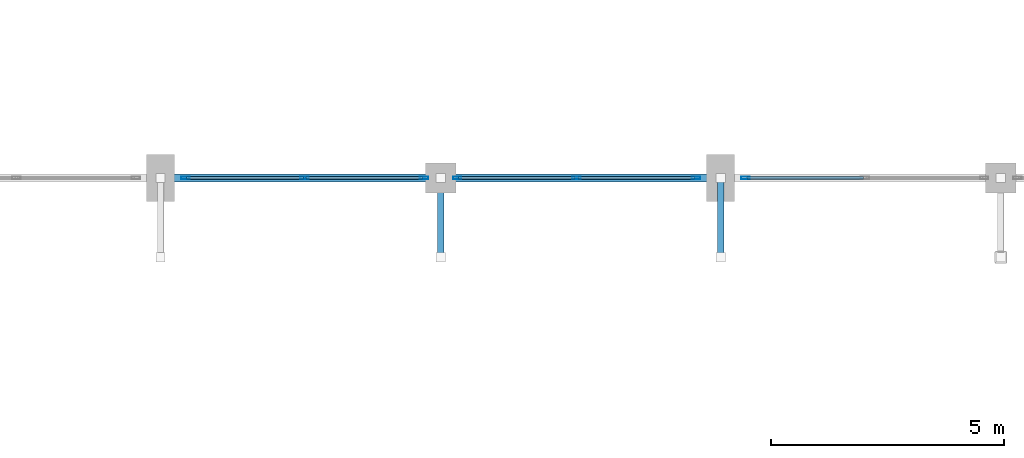
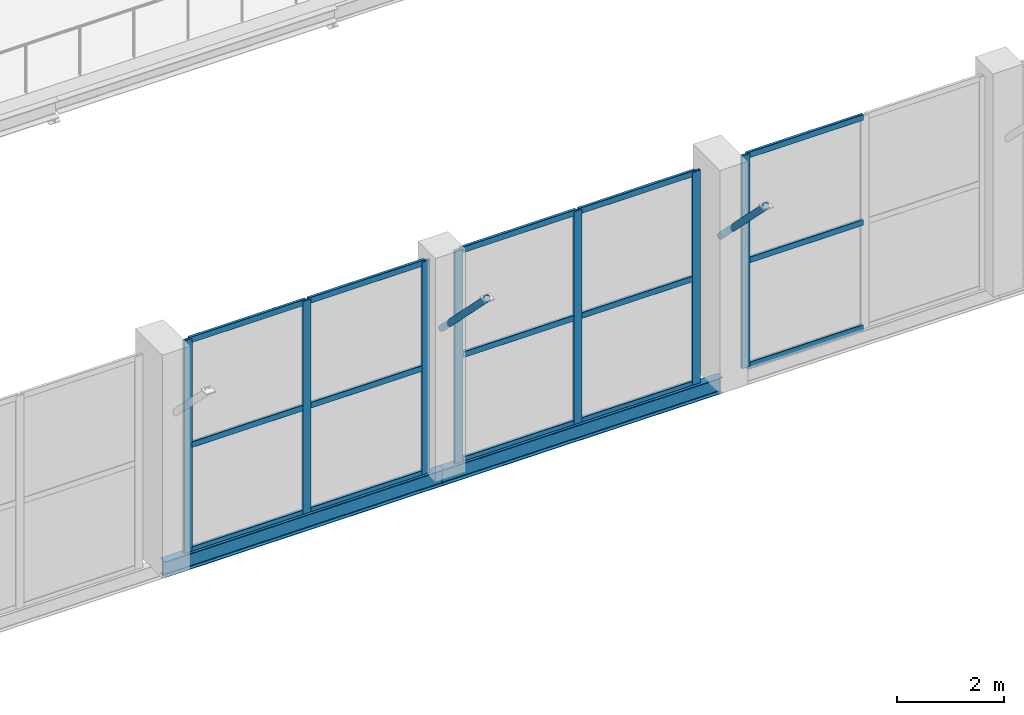
# One storey, part 22 of 127: 24 members, 2 beams, 3 elements without a shape of their own.
"""IFC4 building model written with IfcOpenShell, lengths in metres."""

from ifc_helpers import new_model, si_unit, direction, frame, origin, origin_2d, place, context, subcontext, project, spatial, hollow_rectangle, hollow_circle, i_section, extrude, material, layer, layer_set, material_profile, profile_set, type_object, element, aggregate, save


model = new_model("IFC4")

# Units and contexts
model_context = context("Model", 3, precision=1e-05, world=origin(), true_north=direction((0.0, 1.0)))
body_context = subcontext(model_context, "Body", "Model", "MODEL_VIEW")
ifc_project = project(units=[si_unit("LENGTHUNIT", "METRE"), si_unit("AREAUNIT", "SQUARE_METRE"), si_unit("VOLUMEUNIT", "CUBIC_METRE"), si_unit("PLANEANGLEUNIT", "RADIAN"), si_unit("MASSUNIT", "GRAM", prefix="KILO")], contexts=[model_context])

# Site, building, storey
site_placement = place(None, origin())
site = spatial("IfcSite", under=ifc_project, at=site_placement, CompositionType="ELEMENT")
building_placement = place(site_placement, origin())
building = spatial("IfcBuilding", under=site, at=building_placement, Name="Dunvalen Ferry Terminal", CompositionType="ELEMENT")
storey_placement = place(building_placement, frame((0.0, 0.0, 5.760009765625)))
storey = spatial("IfcBuildingStorey", under=building, at=storey_placement, Name="L01", CompositionType="ELEMENT", Elevation=5.760009765625)

# Curtain wall, members
ifc_material_1 = material(Name="Anodised marine aluminium and solar-control glazing", Category="aluminium")
ifc_layer = layer(ifc_material_1, 0.219970703125, Name="Anodised marine aluminium and solar-control glazing")
ifc_layer_set = layer_set([ifc_layer], Name="Anodised marine aluminium and solar-control glazing")
curtain_wall_type = type_object("IfcCurtainWallType", Name="ENV-CW-SYS-02", PredefinedType="NOTDEFINED", material=ifc_layer_set)
curtain_wall_1_placement = place(storey_placement, origin())
curtain_wall_1 = element("IfcCurtainWall", 1, at=curtain_wall_1_placement, inside=storey, type_object=curtain_wall_type, Name="L01 Curtain Wall CW-V1S-L01-03", PredefinedType="NOTDEFINED")
ifc_material_2 = material(Name="Anodised marine aluminium EN AW-6063 T6", Category="aluminium")
ifc_material_profile_1 = material_profile(ifc_material_2, hollow_rectangle(XDim=0.06005859375, YDim=0.179931640625, WallThickness=0.00341796875, InnerFilletRadius=0.00341796875, OuterFilletRadius=0.007080078125, at=origin_2d()), Name="Anodised marine aluminium EN AW-6063 T6")
ifc_profile_set_1 = profile_set([ifc_material_profile_1], Name="Anodised marine aluminium EN AW-6063 T6")
member_type_1 = type_object("IfcMemberType", Name="ENV-CW-MUL-2", PredefinedType="MULLION", material=ifc_profile_set_1)
member_1_placement = place(storey_placement, frame((48.530029296875, 50.39990234375, 0.02001953125), z_axis=(0.0, 0.0, 1.0), x_axis=(0.0, 1.0, 0.0)))
member_1 = element("IfcMember", 2, at=member_1_placement, type_object=member_type_1, Name="CW-02 mullion 1", PredefinedType="MULLION", context=body_context, shape_type="SweptSolid", body=[
    extrude(hollow_rectangle(XDim=0.06005859375, YDim=0.179931640625, WallThickness=0.00341796875, InnerFilletRadius=0.00341796875, OuterFilletRadius=0.007080078125, at=origin_2d()), origin(), (0.0, 0.0, 1.0), 4.840087890625),
])
member_2_placement = place(storey_placement, frame((51.08740234375, 50.39990234375, 0.02001953125), z_axis=(0.0, 0.0, 1.0), x_axis=(0.0, 1.0, 0.0)))
member_2 = element("IfcMember", 3, at=member_2_placement, type_object=member_type_1, Name="CW-02 mullion 2", PredefinedType="MULLION", context=body_context, shape_type="SweptSolid", body=[
    extrude(hollow_rectangle(XDim=0.06005859375, YDim=0.179931640625, WallThickness=0.00341796875, InnerFilletRadius=0.00341796875, OuterFilletRadius=0.007080078125, at=origin_2d()), origin(), (0.0, 0.0, 1.0), 4.840087890625),
])
member_3_placement = place(storey_placement, frame((53.64501953125, 50.39990234375, 0.02001953125), z_axis=(0.0, 0.0, 1.0), x_axis=(0.0, 1.0, 0.0)))
member_3 = element("IfcMember", 4, at=member_3_placement, type_object=member_type_1, Name="CW-02 mullion 3", PredefinedType="MULLION", context=body_context, shape_type="SweptSolid", body=[
    extrude(hollow_rectangle(XDim=0.06005859375, YDim=0.179931640625, WallThickness=0.00341796875, InnerFilletRadius=0.00341796875, OuterFilletRadius=0.007080078125, at=origin_2d()), origin(), (0.0, 0.0, 1.0), 4.840087890625),
])

curtain_wall_2_placement = place(storey_placement, origin())
curtain_wall_2 = element("IfcCurtainWall", 5, at=curtain_wall_2_placement, inside=storey, type_object=curtain_wall_type, Name="L01 Curtain Wall CW-V1S-L01-04", PredefinedType="NOTDEFINED")
member_4_placement = place(storey_placement, frame((54.35498046875, 50.39990234375, 0.02001953125), z_axis=(0.0, 0.0, 1.0), x_axis=(0.0, 1.0, 0.0)))
member_4 = element("IfcMember", 6, at=member_4_placement, type_object=member_type_1, Name="CW-02 mullion 1", PredefinedType="MULLION", context=body_context, shape_type="SweptSolid", body=[
    extrude(hollow_rectangle(XDim=0.06005859375, YDim=0.179931640625, WallThickness=0.00341796875, InnerFilletRadius=0.00341796875, OuterFilletRadius=0.007080078125, at=origin_2d()), origin(), (0.0, 0.0, 1.0), 4.840087890625),
])
member_5_placement = place(storey_placement, frame((56.91259765625, 50.39990234375, 0.02001953125), z_axis=(0.0, 0.0, 1.0), x_axis=(0.0, 1.0, 0.0)))
member_5 = element("IfcMember", 7, at=member_5_placement, type_object=member_type_1, Name="CW-02 mullion 2", PredefinedType="MULLION", context=body_context, shape_type="SweptSolid", body=[
    extrude(hollow_rectangle(XDim=0.06005859375, YDim=0.179931640625, WallThickness=0.00341796875, InnerFilletRadius=0.00341796875, OuterFilletRadius=0.007080078125, at=origin_2d()), origin(), (0.0, 0.0, 1.0), 4.840087890625),
])
member_6_placement = place(storey_placement, frame((59.469970703125, 50.39990234375, 0.02001953125), z_axis=(0.0, 0.0, 1.0), x_axis=(0.0, 1.0, 0.0)))
member_6 = element("IfcMember", 8, at=member_6_placement, type_object=member_type_1, Name="CW-02 mullion 3", PredefinedType="MULLION", context=body_context, shape_type="SweptSolid", body=[
    extrude(hollow_rectangle(XDim=0.06005859375, YDim=0.179931640625, WallThickness=0.00341796875, InnerFilletRadius=0.00341796875, OuterFilletRadius=0.007080078125, at=origin_2d()), origin(), (0.0, 0.0, 1.0), 4.840087890625),
])

# Curtain wall, member
curtain_wall_3_placement = place(storey_placement, origin())
curtain_wall_3 = element("IfcCurtainWall", 9, at=curtain_wall_3_placement, inside=storey, type_object=curtain_wall_type, Name="L01 Curtain Wall CW-V1S-L01-05", PredefinedType="NOTDEFINED")
member_7_placement = place(storey_placement, frame((60.530029296875, 50.39990234375, 0.02001953125), z_axis=(0.0, 0.0, 1.0), x_axis=(0.0, 1.0, 0.0)))
member_7 = element("IfcMember", 10, at=member_7_placement, type_object=member_type_1, Name="CW-02 mullion 1", PredefinedType="MULLION", context=body_context, shape_type="SweptSolid", body=[
    extrude(hollow_rectangle(XDim=0.06005859375, YDim=0.179931640625, WallThickness=0.00341796875, InnerFilletRadius=0.00341796875, OuterFilletRadius=0.007080078125, at=origin_2d()), origin(), (0.0, 0.0, 1.0), 4.840087890625),
])

# Member
ifc_material_profile_2 = material_profile(ifc_material_2, hollow_rectangle(XDim=0.06005859375, YDim=0.135009765625, WallThickness=0.003173828125, InnerFilletRadius=0.003173828125, OuterFilletRadius=0.00634765625, at=origin_2d()), Name="Anodised marine aluminium EN AW-6063 T6")
ifc_profile_set_2 = profile_set([ifc_material_profile_2], Name="Anodised marine aluminium EN AW-6063 T6")
member_type_2 = type_object("IfcMemberType", Name="ENV-CW-TRN-2", PredefinedType="USERDEFINED", material=ifc_profile_set_2)
member_8_placement = place(storey_placement, frame((48.56005859375, 50.39990234375, 0.050048828125), z_axis=(1.0, 0.0, 0.0), x_axis=(0.0, 1.0, 0.0)))
member_8 = element("IfcMember", 11, at=member_8_placement, type_object=member_type_2, Name="CW-02 transom 1.1", ObjectType="TRANSOM", PredefinedType="USERDEFINED", context=body_context, shape_type="SweptSolid", body=[
    extrude(hollow_rectangle(XDim=0.06005859375, YDim=0.135009765625, WallThickness=0.003173828125, InnerFilletRadius=0.003173828125, OuterFilletRadius=0.00634765625, at=origin_2d()), origin(), (0.0, 0.0, 1.0), 2.49755859375),
])

member_9_placement = place(storey_placement, frame((48.56005859375, 50.39990234375, 2.43994140625), z_axis=(1.0, 0.0, 0.0), x_axis=(0.0, 1.0, 0.0)))
member_9 = element("IfcMember", 12, at=member_9_placement, type_object=member_type_2, Name="CW-02 transom 1.2", ObjectType="TRANSOM", PredefinedType="USERDEFINED", context=body_context, shape_type="SweptSolid", body=[
    extrude(hollow_rectangle(XDim=0.06005859375, YDim=0.135009765625, WallThickness=0.003173828125, InnerFilletRadius=0.003173828125, OuterFilletRadius=0.00634765625, at=origin_2d()), origin(), (0.0, 0.0, 1.0), 2.49755859375),
])

member_10_placement = place(storey_placement, frame((48.56005859375, 50.39990234375, 4.830078125), z_axis=(1.0, 0.0, 0.0), x_axis=(0.0, 1.0, 0.0)))
member_10 = element("IfcMember", 13, at=member_10_placement, type_object=member_type_2, Name="CW-02 transom 1.3", ObjectType="TRANSOM", PredefinedType="USERDEFINED", context=body_context, shape_type="SweptSolid", body=[
    extrude(hollow_rectangle(XDim=0.06005859375, YDim=0.135009765625, WallThickness=0.003173828125, InnerFilletRadius=0.003173828125, OuterFilletRadius=0.00634765625, at=origin_2d()), origin(), (0.0, 0.0, 1.0), 2.49755859375),
])

member_11_placement = place(storey_placement, frame((51.117431640625, 50.39990234375, 0.050048828125), z_axis=(1.0, 0.0, 0.0), x_axis=(0.0, 1.0, 0.0)))
member_11 = element("IfcMember", 14, at=member_11_placement, type_object=member_type_2, Name="CW-02 transom 2.1", ObjectType="TRANSOM", PredefinedType="USERDEFINED", context=body_context, shape_type="SweptSolid", body=[
    extrude(hollow_rectangle(XDim=0.06005859375, YDim=0.135009765625, WallThickness=0.003173828125, InnerFilletRadius=0.003173828125, OuterFilletRadius=0.00634765625, at=origin_2d()), origin(), (0.0, 0.0, 1.0), 2.49755859375),
])

member_12_placement = place(storey_placement, frame((51.117431640625, 50.39990234375, 2.43994140625), z_axis=(1.0, 0.0, 0.0), x_axis=(0.0, 1.0, 0.0)))
member_12 = element("IfcMember", 15, at=member_12_placement, type_object=member_type_2, Name="CW-02 transom 2.2", ObjectType="TRANSOM", PredefinedType="USERDEFINED", context=body_context, shape_type="SweptSolid", body=[
    extrude(hollow_rectangle(XDim=0.06005859375, YDim=0.135009765625, WallThickness=0.003173828125, InnerFilletRadius=0.003173828125, OuterFilletRadius=0.00634765625, at=origin_2d()), origin(), (0.0, 0.0, 1.0), 2.49755859375),
])

member_13_placement = place(storey_placement, frame((51.117431640625, 50.39990234375, 4.830078125), z_axis=(1.0, 0.0, 0.0), x_axis=(0.0, 1.0, 0.0)))
member_13 = element("IfcMember", 16, at=member_13_placement, type_object=member_type_2, Name="CW-02 transom 2.3", ObjectType="TRANSOM", PredefinedType="USERDEFINED", context=body_context, shape_type="SweptSolid", body=[
    extrude(hollow_rectangle(XDim=0.06005859375, YDim=0.135009765625, WallThickness=0.003173828125, InnerFilletRadius=0.003173828125, OuterFilletRadius=0.00634765625, at=origin_2d()), origin(), (0.0, 0.0, 1.0), 2.49755859375),
])

aggregate(curtain_wall_1, [member_1, member_2, member_3, member_8, member_9, member_10, member_11, member_12, member_13])

member_14_placement = place(storey_placement, frame((54.385009765625, 50.39990234375, 0.050048828125), z_axis=(1.0, 0.0, 0.0), x_axis=(0.0, 1.0, 0.0)))
member_14 = element("IfcMember", 17, at=member_14_placement, type_object=member_type_2, Name="CW-02 transom 1.1", ObjectType="TRANSOM", PredefinedType="USERDEFINED", context=body_context, shape_type="SweptSolid", body=[
    extrude(hollow_rectangle(XDim=0.06005859375, YDim=0.135009765625, WallThickness=0.003173828125, InnerFilletRadius=0.003173828125, OuterFilletRadius=0.00634765625, at=origin_2d()), origin(), (0.0, 0.0, 1.0), 2.49755859375),
])

member_15_placement = place(storey_placement, frame((54.385009765625, 50.39990234375, 2.43994140625), z_axis=(1.0, 0.0, 0.0), x_axis=(0.0, 1.0, 0.0)))
member_15 = element("IfcMember", 18, at=member_15_placement, type_object=member_type_2, Name="CW-02 transom 1.2", ObjectType="TRANSOM", PredefinedType="USERDEFINED", context=body_context, shape_type="SweptSolid", body=[
    extrude(hollow_rectangle(XDim=0.06005859375, YDim=0.135009765625, WallThickness=0.003173828125, InnerFilletRadius=0.003173828125, OuterFilletRadius=0.00634765625, at=origin_2d()), origin(), (0.0, 0.0, 1.0), 2.49755859375),
])

member_16_placement = place(storey_placement, frame((54.385009765625, 50.39990234375, 4.830078125), z_axis=(1.0, 0.0, 0.0), x_axis=(0.0, 1.0, 0.0)))
member_16 = element("IfcMember", 19, at=member_16_placement, type_object=member_type_2, Name="CW-02 transom 1.3", ObjectType="TRANSOM", PredefinedType="USERDEFINED", context=body_context, shape_type="SweptSolid", body=[
    extrude(hollow_rectangle(XDim=0.06005859375, YDim=0.135009765625, WallThickness=0.003173828125, InnerFilletRadius=0.003173828125, OuterFilletRadius=0.00634765625, at=origin_2d()), origin(), (0.0, 0.0, 1.0), 2.49755859375),
])

member_17_placement = place(storey_placement, frame((56.9423828125, 50.39990234375, 0.050048828125), z_axis=(1.0, 0.0, 0.0), x_axis=(0.0, 1.0, 0.0)))
member_17 = element("IfcMember", 20, at=member_17_placement, type_object=member_type_2, Name="CW-02 transom 2.1", ObjectType="TRANSOM", PredefinedType="USERDEFINED", context=body_context, shape_type="SweptSolid", body=[
    extrude(hollow_rectangle(XDim=0.06005859375, YDim=0.135009765625, WallThickness=0.003173828125, InnerFilletRadius=0.003173828125, OuterFilletRadius=0.00634765625, at=origin_2d()), origin(), (0.0, 0.0, 1.0), 2.49755859375),
])

member_18_placement = place(storey_placement, frame((56.9423828125, 50.39990234375, 2.43994140625), z_axis=(1.0, 0.0, 0.0), x_axis=(0.0, 1.0, 0.0)))
member_18 = element("IfcMember", 21, at=member_18_placement, type_object=member_type_2, Name="CW-02 transom 2.2", ObjectType="TRANSOM", PredefinedType="USERDEFINED", context=body_context, shape_type="SweptSolid", body=[
    extrude(hollow_rectangle(XDim=0.06005859375, YDim=0.135009765625, WallThickness=0.003173828125, InnerFilletRadius=0.003173828125, OuterFilletRadius=0.00634765625, at=origin_2d()), origin(), (0.0, 0.0, 1.0), 2.49755859375),
])

member_19_placement = place(storey_placement, frame((56.9423828125, 50.39990234375, 4.830078125), z_axis=(1.0, 0.0, 0.0), x_axis=(0.0, 1.0, 0.0)))
member_19 = element("IfcMember", 22, at=member_19_placement, type_object=member_type_2, Name="CW-02 transom 2.3", ObjectType="TRANSOM", PredefinedType="USERDEFINED", context=body_context, shape_type="SweptSolid", body=[
    extrude(hollow_rectangle(XDim=0.06005859375, YDim=0.135009765625, WallThickness=0.003173828125, InnerFilletRadius=0.003173828125, OuterFilletRadius=0.00634765625, at=origin_2d()), origin(), (0.0, 0.0, 1.0), 2.49755859375),
])

aggregate(curtain_wall_2, [member_4, member_5, member_6, member_14, member_15, member_16, member_17, member_18, member_19])

member_20_placement = place(storey_placement, frame((60.56005859375, 50.39990234375, 0.050048828125), z_axis=(1.0, 0.0, 0.0), x_axis=(0.0, 1.0, 0.0)))
member_20 = element("IfcMember", 23, at=member_20_placement, type_object=member_type_2, Name="CW-02 transom 1.1", ObjectType="TRANSOM", PredefinedType="USERDEFINED", context=body_context, shape_type="SweptSolid", body=[
    extrude(hollow_rectangle(XDim=0.06005859375, YDim=0.135009765625, WallThickness=0.003173828125, InnerFilletRadius=0.003173828125, OuterFilletRadius=0.00634765625, at=origin_2d()), origin(), (0.0, 0.0, 1.0), 2.49755859375),
])

member_21_placement = place(storey_placement, frame((60.56005859375, 50.39990234375, 2.43994140625), z_axis=(1.0, 0.0, 0.0), x_axis=(0.0, 1.0, 0.0)))
member_21 = element("IfcMember", 24, at=member_21_placement, type_object=member_type_2, Name="CW-02 transom 1.2", ObjectType="TRANSOM", PredefinedType="USERDEFINED", context=body_context, shape_type="SweptSolid", body=[
    extrude(hollow_rectangle(XDim=0.06005859375, YDim=0.135009765625, WallThickness=0.003173828125, InnerFilletRadius=0.003173828125, OuterFilletRadius=0.00634765625, at=origin_2d()), origin(), (0.0, 0.0, 1.0), 2.49755859375),
])

member_22_placement = place(storey_placement, frame((60.56005859375, 50.39990234375, 4.830078125), z_axis=(1.0, 0.0, 0.0), x_axis=(0.0, 1.0, 0.0)))
member_22 = element("IfcMember", 25, at=member_22_placement, type_object=member_type_2, Name="CW-02 transom 1.3", ObjectType="TRANSOM", PredefinedType="USERDEFINED", context=body_context, shape_type="SweptSolid", body=[
    extrude(hollow_rectangle(XDim=0.06005859375, YDim=0.135009765625, WallThickness=0.003173828125, InnerFilletRadius=0.003173828125, OuterFilletRadius=0.00634765625, at=origin_2d()), origin(), (0.0, 0.0, 1.0), 2.49755859375),
])

aggregate(curtain_wall_3, [member_7, member_20, member_21, member_22])

# Beams
ifc_material_3 = material(Name="Steel S355", Category="steel")
ifc_material_profile_3 = material_profile(ifc_material_3, i_section(OverallWidth=0.169921875, OverallDepth=0.360107421875, WebThickness=0.008056640625, FlangeThickness=0.0126953125, FilletRadius=0.01806640625, at=origin_2d()), Name="Steel S355")
ifc_profile_set_3 = profile_set([ifc_material_profile_3], Name="Steel S355")
beam_type = type_object("IfcBeamType", Name="STR-BM-IPE360", PredefinedType="BEAM", material=ifc_profile_set_3)
for number, where, z_axis, x_axis, name in (
    (26, (48.0, 50.39990234375, -0.159912109375), (1.0, 0.0, 0.0), (0.0, 1.0, 0.0), "Departure Hall South Curtain-Wall Girt 03"),
    (27, (54.0, 50.39990234375, -0.159912109375), (1.0, 0.0, 0.0), (0.0, 1.0, 0.0), "Departure Hall South Curtain-Wall Girt 04"),
):
    element("IfcBeam", number, at=place(storey_placement, frame(where, z_axis=z_axis, x_axis=x_axis)), inside=storey, type_object=beam_type, Name=name, PredefinedType="BEAM", context=body_context, shape_type="SweptSolid", body=[
        extrude(i_section(OverallWidth=0.169921875, OverallDepth=0.360107421875, WebThickness=0.008056640625, FlangeThickness=0.0126953125, FilletRadius=0.01806640625, at=origin_2d()), origin(), (0.0, 0.0, 1.0), 6.0),
    ])

# Members
ifc_material_profile_4 = material_profile(ifc_material_3, hollow_circle(Radius=0.06982421875, WallThickness=0.00634765625, at=origin_2d()), Name="Steel S355")
ifc_profile_set_4 = profile_set([ifc_material_profile_4], Name="Steel S355")
member_type_3 = type_object("IfcMemberType", Name="STR-MB-CHS139", PredefinedType="BRACE", material=ifc_profile_set_4)
for number, where, z_axis, x_axis, name in (
    (28, (54.0, 50.39990234375, 3.18994140625), (0.0, -0.705028038092, 0.709179431106), (1.0, 0.0, 0.0), "Departure Hall South Eave Knee Strut 08"),
    (29, (60.0, 50.39990234375, 3.18994140625), (0.0, -0.705028038092, 0.709179431106), (1.0, 0.0, 0.0), "Departure Hall South Eave Knee Strut 09"),
):
    element("IfcMember", number, at=place(storey_placement, frame(where, z_axis=z_axis, x_axis=x_axis)), inside=storey, type_object=member_type_3, Name=name, PredefinedType="BRACE", context=body_context, shape_type="SweptSolid", body=[
        extrude(hollow_circle(Radius=0.06982421875, WallThickness=0.00634765625, at=origin_2d()), origin(), (0.0, 0.0, 1.0), 2.4111328125),
    ])

save(model, "model.ifc")
